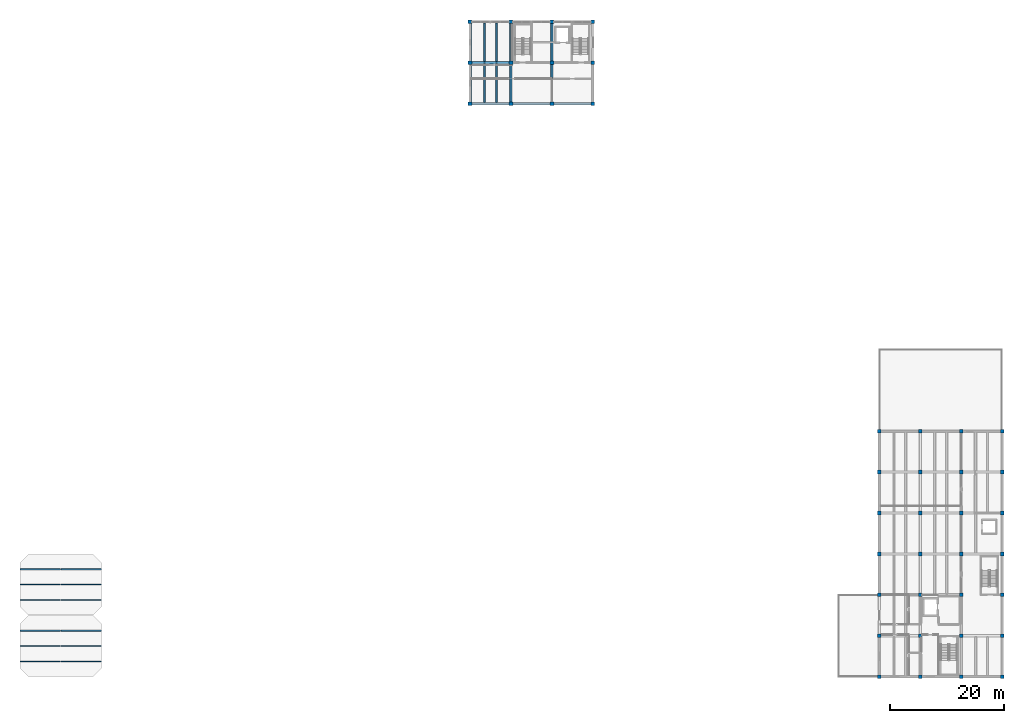
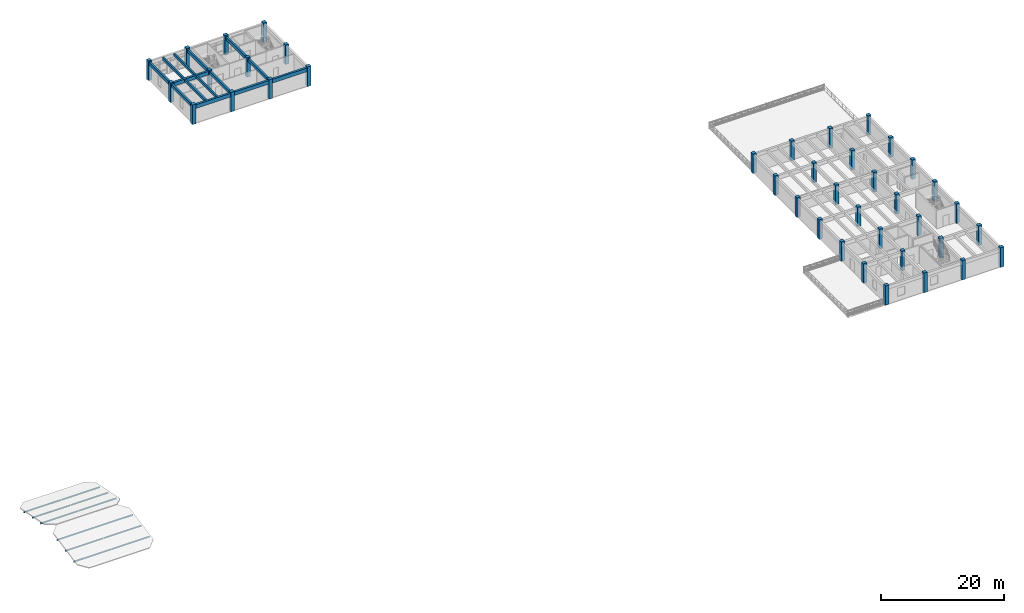
# One storey, part 1 of 13: 40 columns, 14 beams, 12 members.
"""IFC4 building model written with IfcOpenShell, lengths in metres."""

from ifc_helpers import new_model, si_unit, direction, frame, origin, origin_2d, place, context, subcontext, project, spatial, rectangle, i_section, extrude, material, material_profile, profile_set, type_object, element, save


model = new_model("IFC4")

# Units and contexts
model_context = context("Model", 3, precision=1e-05, world=origin(), true_north=direction((0.0, 1.0)))
body_context = subcontext(model_context, "Body", "Model", "MODEL_VIEW")
ifc_project = project(units=[si_unit("LENGTHUNIT", "METRE"), si_unit("AREAUNIT", "SQUARE_METRE"), si_unit("VOLUMEUNIT", "CUBIC_METRE"), si_unit("PLANEANGLEUNIT", "RADIAN"), si_unit("MASSUNIT", "GRAM", prefix="KILO")], contexts=[model_context])

# Site, building, storey
site_placement = place(None, origin())
site = spatial("IfcSite", under=ifc_project, at=site_placement, CompositionType="ELEMENT")
building_placement = place(site_placement, origin())
building = spatial("IfcBuilding", under=site, at=building_placement, Name="Koriwan Promenade Central Fire Station", CompositionType="ELEMENT")
storey_placement = place(building_placement, frame((0.0, 0.0, 13.5)))
storey = spatial("IfcBuildingStorey", under=building, at=storey_placement, Name="L03", CompositionType="ELEMENT", Elevation=13.5)

# Columns
ifc_material_1 = material(Name="Concrete C40/50", Category="concrete")
ifc_material_profile_1 = material_profile(ifc_material_1, rectangle(XDim=0.64990234375, YDim=0.64990234375, at=origin_2d()), Name="RC-COL-650x650")
ifc_profile_set_1 = profile_set([ifc_material_profile_1], Name="Concrete C40/50")
column_type = type_object("IfcColumnType", Name="Column_RC-COL-650x650", PredefinedType="COLUMN", material=ifc_profile_set_1)
for number, where, z_axis, x_axis, name in (
    (1, (79.199951171875, 100.800048828125, 0.0), (0.0, 0.0, 1.0), (1.0, 0.0, 0.0), "V2 L03 column (79.2, 100.8)"),
    (2, (79.199951171875, 108.0, 0.0), (0.0, 0.0, 1.0), (1.0, 0.0, 0.0), "V2 L03 column (79.2, 108.0)"),
    (3, (79.199951171875, 115.199951171875, 0.0), (0.0, 0.0, 1.0), (1.0, 0.0, 0.0), "V2 L03 column (79.2, 115.2)"),
    (4, (86.39990234375, 100.800048828125, 0.0), (0.0, 0.0, 1.0), (1.0, 0.0, 0.0), "V2 L03 column (86.4, 100.8)"),
    (5, (86.39990234375, 108.0, 0.0), (0.0, 0.0, 1.0), (1.0, 0.0, 0.0), "V2 L03 column (86.4, 108.0)"),
    (6, (86.39990234375, 115.199951171875, 0.0), (0.0, 0.0, 1.0), (1.0, 0.0, 0.0), "V2 L03 column (86.4, 115.2)"),
    (7, (93.60009765625, 100.800048828125, 0.0), (0.0, 0.0, 1.0), (1.0, 0.0, 0.0), "V2 L03 column (93.6, 100.8)"),
    (8, (93.60009765625, 108.0, 0.0), (0.0, 0.0, 1.0), (1.0, 0.0, 0.0), "V2 L03 column (93.6, 108.0)"),
    (9, (93.60009765625, 115.199951171875, 0.0), (0.0, 0.0, 1.0), (1.0, 0.0, 0.0), "V2 L03 column (93.6, 115.2)"),
    (10, (100.800048828125, 100.800048828125, 0.0), (0.0, 0.0, 1.0), (1.0, 0.0, 0.0), "V2 L03 column (100.8, 100.8)"),
    (11, (100.800048828125, 108.0, 0.0), (0.0, 0.0, 1.0), (1.0, 0.0, 0.0), "V2 L03 column (100.8, 108.0)"),
    (12, (100.800048828125, 115.199951171875, 0.0), (0.0, 0.0, 1.0), (1.0, 0.0, 0.0), "V2 L03 column (100.8, 115.2)"),
    (13, (151.199951171875, 0.0, 0.0), (0.0, 0.0, 1.0), (1.0, 0.0, 0.0), "V5 L03 column (151.2, 0.0)"),
    (14, (151.199951171875, 7.199951171875, 0.0), (0.0, 0.0, 1.0), (1.0, 0.0, 0.0), "V5 L03 column (151.2, 7.2)"),
    (15, (151.199951171875, 14.39990234375, 0.0), (0.0, 0.0, 1.0), (1.0, 0.0, 0.0), "V5 L03 column (151.2, 14.4)"),
    (16, (151.199951171875, 21.60009765625, 0.0), (0.0, 0.0, 1.0), (1.0, 0.0, 0.0), "V5 L03 column (151.2, 21.6)"),
    (17, (151.199951171875, 28.800048828125, 0.0), (0.0, 0.0, 1.0), (1.0, 0.0, 0.0), "V5 L03 column (151.2, 28.8)"),
    (18, (151.199951171875, 36.0, 0.0), (0.0, 0.0, 1.0), (1.0, 0.0, 0.0), "V5 L03 column (151.2, 36.0)"),
    (19, (151.199951171875, 43.199951171875, 0.0), (0.0, 0.0, 1.0), (1.0, 0.0, 0.0), "V5 L03 column (151.2, 43.2)"),
    (20, (158.39990234375, 0.0, 0.0), (0.0, 0.0, 1.0), (1.0, 0.0, 0.0), "V5 L03 column (158.4, 0.0)"),
    (21, (158.39990234375, 7.199951171875, 0.0), (0.0, 0.0, 1.0), (1.0, 0.0, 0.0), "V5 L03 column (158.4, 7.2)"),
    (22, (158.39990234375, 14.39990234375, 0.0), (0.0, 0.0, 1.0), (1.0, 0.0, 0.0), "V5 L03 column (158.4, 14.4)"),
    (23, (158.39990234375, 21.60009765625, 0.0), (0.0, 0.0, 1.0), (1.0, 0.0, 0.0), "V5 L03 column (158.4, 21.6)"),
    (24, (158.39990234375, 28.800048828125, 0.0), (0.0, 0.0, 1.0), (1.0, 0.0, 0.0), "V5 L03 column (158.4, 28.8)"),
    (25, (158.39990234375, 36.0, 0.0), (0.0, 0.0, 1.0), (1.0, 0.0, 0.0), "V5 L03 column (158.4, 36.0)"),
    (26, (158.39990234375, 43.199951171875, 0.0), (0.0, 0.0, 1.0), (1.0, 0.0, 0.0), "V5 L03 column (158.4, 43.2)"),
    (27, (165.60009765625, 0.0, 0.0), (0.0, 0.0, 1.0), (1.0, 0.0, 0.0), "V5 L03 column (165.6, 0.0)"),
    (28, (165.60009765625, 7.199951171875, 0.0), (0.0, 0.0, 1.0), (1.0, 0.0, 0.0), "V5 L03 column (165.6, 7.2)"),
    (29, (165.60009765625, 14.39990234375, 0.0), (0.0, 0.0, 1.0), (1.0, 0.0, 0.0), "V5 L03 column (165.6, 14.4)"),
    (30, (165.60009765625, 21.60009765625, 0.0), (0.0, 0.0, 1.0), (1.0, 0.0, 0.0), "V5 L03 column (165.6, 21.6)"),
    (31, (165.60009765625, 28.800048828125, 0.0), (0.0, 0.0, 1.0), (1.0, 0.0, 0.0), "V5 L03 column (165.6, 28.8)"),
    (32, (165.60009765625, 36.0, 0.0), (0.0, 0.0, 1.0), (1.0, 0.0, 0.0), "V5 L03 column (165.6, 36.0)"),
    (33, (165.60009765625, 43.199951171875, 0.0), (0.0, 0.0, 1.0), (1.0, 0.0, 0.0), "V5 L03 column (165.6, 43.2)"),
    (34, (172.800048828125, 0.0, 0.0), (0.0, 0.0, 1.0), (1.0, 0.0, 0.0), "V5 L03 column (172.8, 0.0)"),
    (35, (172.800048828125, 7.199951171875, 0.0), (0.0, 0.0, 1.0), (1.0, 0.0, 0.0), "V5 L03 column (172.8, 7.2)"),
    (36, (172.800048828125, 14.39990234375, 0.0), (0.0, 0.0, 1.0), (1.0, 0.0, 0.0), "V5 L03 column (172.8, 14.4)"),
    (37, (172.800048828125, 21.60009765625, 0.0), (0.0, 0.0, 1.0), (1.0, 0.0, 0.0), "V5 L03 column (172.8, 21.6)"),
    (38, (172.800048828125, 28.800048828125, 0.0), (0.0, 0.0, 1.0), (1.0, 0.0, 0.0), "V5 L03 column (172.8, 28.8)"),
    (39, (172.800048828125, 36.0, 0.0), (0.0, 0.0, 1.0), (1.0, 0.0, 0.0), "V5 L03 column (172.8, 36.0)"),
    (40, (172.800048828125, 43.199951171875, 0.0), (0.0, 0.0, 1.0), (1.0, 0.0, 0.0), "V5 L03 column (172.8, 43.2)"),
):
    element("IfcColumn", number, at=place(storey_placement, frame(where, z_axis=z_axis, x_axis=x_axis)), inside=storey, type_object=column_type, Name=name, PredefinedType="COLUMN", context=body_context, shape_type="SweptSolid", body=[
        extrude(rectangle(XDim=0.64990234375, YDim=0.64990234375, at=origin_2d()), origin(), (0.0, 0.0, 1.0), 3.89990234375),
    ])

# Beams
ifc_material_2 = material(Name="Concrete C35/45", Category="concrete")
ifc_material_profile_2 = material_profile(ifc_material_2, rectangle(XDim=0.300048828125, YDim=0.5, at=origin_2d()), Name="RC-BM-300x500")
ifc_profile_set_2 = profile_set([ifc_material_profile_2], Name="Concrete C35/45")
beam_type_1 = type_object("IfcBeamType", Name="Beam_RC-BM-300x500", PredefinedType="JOIST", material=ifc_profile_set_2)
beam_1_placement = place(storey_placement, frame((83.847900390625, 101.0, 3.39990234375), z_axis=(0.0, 1.0, 0.0), x_axis=(-1.0, 0.0, 0.0)))
element("IfcBeam", 41, at=beam_1_placement, inside=storey, type_object=beam_type_1, Name="V2 L03 secondary joist 175", PredefinedType="JOIST", context=body_context, shape_type="SweptSolid", body=[
    extrude(rectangle(XDim=0.300048828125, YDim=0.5, at=origin_2d()), origin(), (0.0, 0.0, 1.0), 6.800048828125),
])
beam_2_placement = place(storey_placement, frame((83.847900390625, 108.199951171875, 3.39990234375), z_axis=(0.0, 1.0, 0.0), x_axis=(-1.0, 0.0, 0.0)))
element("IfcBeam", 42, at=beam_2_placement, inside=storey, type_object=beam_type_1, Name="V2 L03 secondary joist 177", PredefinedType="JOIST", context=body_context, shape_type="SweptSolid", body=[
    extrude(rectangle(XDim=0.300048828125, YDim=0.5, at=origin_2d()), origin(), (0.0, 0.0, 1.0), 6.824951171875),
])
ifc_material_profile_3 = material_profile(ifc_material_2, rectangle(XDim=0.300048828125, YDim=0.550048828125, at=origin_2d()), Name="RC-BM-300x550")
ifc_profile_set_3 = profile_set([ifc_material_profile_3], Name="Concrete C35/45")
beam_type_2 = type_object("IfcBeamType", Name="Beam_RC-BM-300x550", PredefinedType="JOIST", material=ifc_profile_set_3)
beam_3_placement = place(storey_placement, frame((81.751953125, 101.0, 3.375), z_axis=(0.0, 1.0, 0.0), x_axis=(-1.0, 0.0, 0.0)))
element("IfcBeam", 43, at=beam_3_placement, inside=storey, type_object=beam_type_2, Name="V2 L03 secondary joist 174", PredefinedType="JOIST", context=body_context, shape_type="SweptSolid", body=[
    extrude(rectangle(XDim=0.300048828125, YDim=0.550048828125, at=origin_2d()), origin(), (0.0, 0.0, 1.0), 6.800048828125),
])
beam_4_placement = place(storey_placement, frame((81.751953125, 108.199951171875, 3.375), z_axis=(0.0, 1.0, 0.0), x_axis=(-1.0, 0.0, 0.0)))
element("IfcBeam", 44, at=beam_4_placement, inside=storey, type_object=beam_type_2, Name="V2 L03 secondary joist 176", PredefinedType="JOIST", context=body_context, shape_type="SweptSolid", body=[
    extrude(rectangle(XDim=0.300048828125, YDim=0.550048828125, at=origin_2d()), origin(), (0.0, 0.0, 1.0), 6.824951171875),
])
ifc_material_profile_4 = material_profile(ifc_material_2, rectangle(XDim=0.35009765625, YDim=0.60009765625, at=origin_2d()), Name="RC-BM-350x600")
ifc_profile_set_4 = profile_set([ifc_material_profile_4], Name="Concrete C35/45")
beam_type_3 = type_object("IfcBeamType", Name="Beam_RC-BM-350x600", PredefinedType="BEAM", material=ifc_profile_set_4)
for number, where, z_axis, x_axis, name in (
    (45, (79.199951171875, 101.125, 3.35009765625), (0.0, 1.0, 0.0), (-1.0, 0.0, 0.0), "V2 L03 girder Y-166"),
    (46, (86.39990234375, 101.125, 3.35009765625), (0.0, 1.0, 0.0), (-1.0, 0.0, 0.0), "V2 L03 girder Y-168"),
    (47, (93.60009765625, 101.125, 3.35009765625), (0.0, 1.0, 0.0), (-1.0, 0.0, 0.0), "V2 L03 girder Y-170"),
):
    element("IfcBeam", number, at=place(storey_placement, frame(where, z_axis=z_axis, x_axis=x_axis)), inside=storey, type_object=beam_type_3, Name=name, PredefinedType="BEAM", context=body_context, shape_type="SweptSolid", body=[
        extrude(rectangle(XDim=0.35009765625, YDim=0.60009765625, at=origin_2d()), origin(), (0.0, 0.0, 1.0), 6.550048828125),
    ])
ifc_material_profile_5 = material_profile(ifc_material_2, rectangle(XDim=0.35009765625, YDim=0.64990234375, at=origin_2d()), Name="RC-BM-350x650")
ifc_profile_set_5 = profile_set([ifc_material_profile_5], Name="Concrete C35/45")
beam_type_4 = type_object("IfcBeamType", Name="Beam_RC-BM-350x650", PredefinedType="BEAM", material=ifc_profile_set_5)
for number, where, z_axis, x_axis, name in (
    (48, (79.199951171875, 108.324951171875, 3.324951171875), (0.0, 1.0, 0.0), (-1.0, 0.0, 0.0), "V2 L03 girder Y-167"),
    (49, (86.39990234375, 108.324951171875, 3.324951171875), (0.0, 1.0, 0.0), (-1.0, 0.0, 0.0), "V2 L03 girder Y-169"),
    (50, (93.60009765625, 108.324951171875, 3.324951171875), (0.0, 1.0, 0.0), (-1.0, 0.0, 0.0), "V2 L03 girder Y-171"),
):
    element("IfcBeam", number, at=place(storey_placement, frame(where, z_axis=z_axis, x_axis=x_axis)), inside=storey, type_object=beam_type_4, Name=name, PredefinedType="BEAM", context=body_context, shape_type="SweptSolid", body=[
        extrude(rectangle(XDim=0.35009765625, YDim=0.64990234375, at=origin_2d()), origin(), (0.0, 0.0, 1.0), 6.550048828125),
    ])
ifc_material_profile_6 = material_profile(ifc_material_2, rectangle(XDim=0.39990234375, YDim=0.699951171875, at=origin_2d()), Name="RC-BM-400x700")
ifc_profile_set_6 = profile_set([ifc_material_profile_6], Name="Concrete C35/45")
beam_type_5 = type_object("IfcBeamType", Name="Beam_RC-BM-400x700", PredefinedType="BEAM", material=ifc_profile_set_6)
beam_5_placement = place(storey_placement, frame((86.72509765625, 100.800048828125, 3.300048828125), z_axis=(1.0, 0.0, 0.0), x_axis=(0.0, 1.0, 0.0)))
element("IfcBeam", 51, at=beam_5_placement, inside=storey, type_object=beam_type_5, Name="V2 L03 girder X-160", PredefinedType="BEAM", context=body_context, shape_type="SweptSolid", body=[
    extrude(rectangle(XDim=0.39990234375, YDim=0.699951171875, at=origin_2d()), origin(), (0.0, 0.0, 1.0), 6.5498046875),
])
beam_6_placement = place(storey_placement, frame((79.52490234375, 108.0, 3.300048828125), z_axis=(1.0, 0.0, 0.0), x_axis=(0.0, 1.0, 0.0)))
element("IfcBeam", 52, at=beam_6_placement, inside=storey, type_object=beam_type_5, Name="V2 L03 girder X-162", PredefinedType="BEAM", context=body_context, shape_type="SweptSolid", body=[
    extrude(rectangle(XDim=0.39990234375, YDim=0.699951171875, at=origin_2d()), origin(), (0.0, 0.0, 1.0), 6.550048828125),
])
ifc_material_profile_7 = material_profile(ifc_material_2, rectangle(XDim=0.39990234375, YDim=0.75, at=origin_2d()), Name="RC-BM-400x750")
ifc_profile_set_7 = profile_set([ifc_material_profile_7], Name="Concrete C35/45")
beam_type_6 = type_object("IfcBeamType", Name="Beam_RC-BM-400x750", PredefinedType="BEAM", material=ifc_profile_set_7)
for number, where, z_axis, x_axis, name in (
    (53, (79.52490234375, 100.800048828125, 3.27490234375), (1.0, 0.0, 0.0), (0.0, 1.0, 0.0), "V2 L03 girder X-159"),
    (54, (93.925048828125, 100.800048828125, 3.27490234375), (1.0, 0.0, 0.0), (0.0, 1.0, 0.0), "V2 L03 girder X-161"),
):
    element("IfcBeam", number, at=place(storey_placement, frame(where, z_axis=z_axis, x_axis=x_axis)), inside=storey, type_object=beam_type_6, Name=name, PredefinedType="BEAM", context=body_context, shape_type="SweptSolid", body=[
        extrude(rectangle(XDim=0.39990234375, YDim=0.75, at=origin_2d()), origin(), (0.0, 0.0, 1.0), 6.550048828125),
    ])

# Members
ifc_material_3 = material(Name="Steel ASTM A992 Grade 50", Category="steel")
ifc_material_profile_8 = material_profile(ifc_material_3, i_section(OverallWidth=0.202880859375, OverallDepth=0.202880859375, WebThickness=0.007080078125, FlangeThickness=0.010986328125, FilletRadius=0.010009765625, at=origin_2d()), Name="W200x46")
ifc_profile_set_8 = profile_set([ifc_material_profile_8], Name="Steel ASTM A992 Grade 50")
member_type = type_object("IfcMemberType", Name="Member_PURLIN_W200x46", PredefinedType="PURLIN", material=ifc_profile_set_8)
for number, where, z_axis, x_axis, name in (
    (55, (0.0400390625, 2.699951171875, 0.0986328125), (1.0, 0.0, 0.0), (0.0, 1.0, 0.0), "V3 west pavilion purlin 1-1"),
    (56, (0.0400390625, 5.39990234375, 0.62353515625), (1.0, 0.0, 0.0), (0.0, 1.0, 0.0), "V3 west pavilion purlin 1-2"),
    (57, (0.0400390625, 8.10009765625, 1.148681640625), (1.0, 0.0, 0.0), (0.0, 1.0, 0.0), "V3 west pavilion purlin 1-3"),
    (58, (0.0400390625, 13.5, 1.148681640625), (1.0, 0.0, 0.0), (0.0, 1.0, 0.0), "V3 west pavilion purlin 1-4"),
    (59, (0.0400390625, 16.199951171875, 0.62353515625), (1.0, 0.0, 0.0), (0.0, 1.0, 0.0), "V3 west pavilion purlin 1-5"),
    (60, (0.0400390625, 18.89990234375, 0.0986328125), (1.0, 0.0, 0.0), (0.0, 1.0, 0.0), "V3 west pavilion purlin 1-6"),
):
    element("IfcMember", number, at=place(storey_placement, frame(where, z_axis=z_axis, x_axis=x_axis)), inside=storey, type_object=member_type, Name=name, PredefinedType="PURLIN", context=body_context, shape_type="SweptSolid", body=[
        extrude(i_section(OverallWidth=0.202880859375, OverallDepth=0.202880859375, WebThickness=0.007080078125, FlangeThickness=0.010986328125, FilletRadius=0.010009765625, at=origin_2d()), origin(), (0.0, 0.0, 1.0), 7.119873046875),
    ])
for number, where, z_axis, x_axis, name in (
    (61, (7.239990234375, 2.699951171875, 0.0986328125), (1.0, 0.0, 0.0), (0.0, 1.0, 0.0), "V3 west pavilion purlin 2-1"),
    (62, (7.239990234375, 5.39990234375, 0.62353515625), (1.0, 0.0, 0.0), (0.0, 1.0, 0.0), "V3 west pavilion purlin 2-2"),
    (63, (7.239990234375, 8.10009765625, 1.148681640625), (1.0, 0.0, 0.0), (0.0, 1.0, 0.0), "V3 west pavilion purlin 2-3"),
    (64, (7.239990234375, 13.5, 1.148681640625), (1.0, 0.0, 0.0), (0.0, 1.0, 0.0), "V3 west pavilion purlin 2-4"),
    (65, (7.239990234375, 16.199951171875, 0.62353515625), (1.0, 0.0, 0.0), (0.0, 1.0, 0.0), "V3 west pavilion purlin 2-5"),
    (66, (7.239990234375, 18.89990234375, 0.0986328125), (1.0, 0.0, 0.0), (0.0, 1.0, 0.0), "V3 west pavilion purlin 2-6"),
):
    element("IfcMember", number, at=place(storey_placement, frame(where, z_axis=z_axis, x_axis=x_axis)), inside=storey, type_object=member_type, Name=name, PredefinedType="PURLIN", context=body_context, shape_type="SweptSolid", body=[
        extrude(i_section(OverallWidth=0.202880859375, OverallDepth=0.202880859375, WebThickness=0.007080078125, FlangeThickness=0.010986328125, FilletRadius=0.010009765625, at=origin_2d()), origin(), (0.0, 0.0, 1.0), 7.1201171875),
    ])

save(model, "model.ifc")
